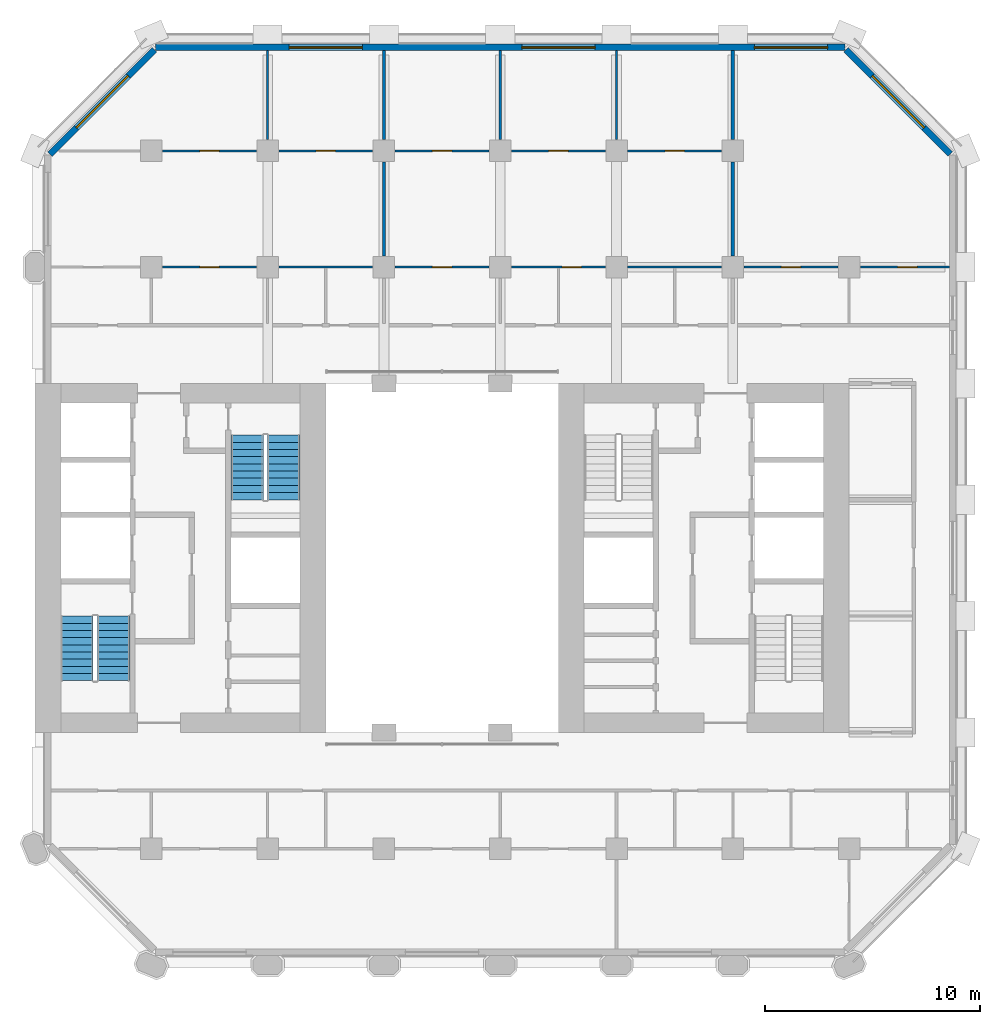
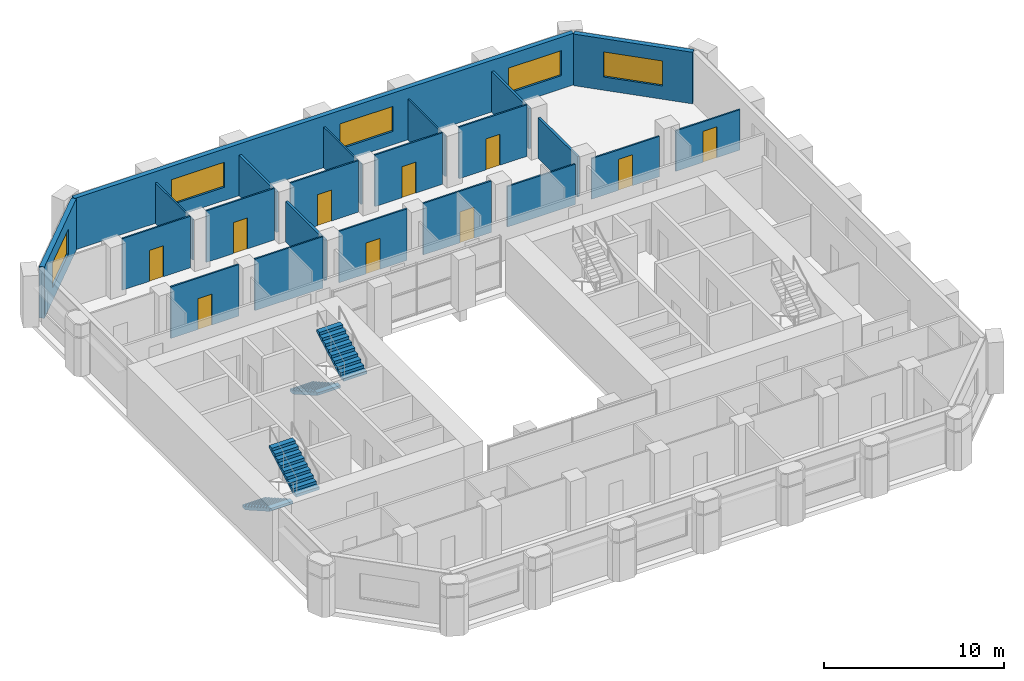
# One storey, part 7 of 11: 22 walls, 10 doors, 5 windows, 4 stair flights, 15 openings, 2 elements without a shape of their own.
"""IFC4 building model written with IfcOpenShell, lengths in metres."""

from ifc_helpers import new_model, si_unit, direction, frame, frame_2d, origin, place, context, subcontext, project, spatial, polyline, rectangle, outline, extrude, material, layer, layer_set, type_object, element, fill, aggregate, save


model = new_model("IFC4")

# Units and contexts
model_context = context("Model", 3, precision=1e-05, world=origin(), true_north=direction((0.0, 1.0)))
body_context = subcontext(model_context, "Body", "Model", "MODEL_VIEW")
ifc_project = project(units=[si_unit("LENGTHUNIT", "METRE"), si_unit("AREAUNIT", "SQUARE_METRE"), si_unit("VOLUMEUNIT", "CUBIC_METRE"), si_unit("PLANEANGLEUNIT", "RADIAN"), si_unit("MASSUNIT", "GRAM", prefix="KILO")], contexts=[model_context])

# Site, building, storey
site_placement = place(None, origin())
site = spatial("IfcSite", under=ifc_project, at=site_placement, CompositionType="ELEMENT")
building_placement = place(site_placement, origin())
building = spatial("IfcBuilding", under=site, at=building_placement, Name="Tabaq Tower and Sports Hall", CompositionType="ELEMENT")
storey_placement = place(building_placement, frame((0.0, 0.0, 80.199951171875)))
storey = spatial("IfcBuildingStorey", under=building, at=storey_placement, Name="L18", CompositionType="ELEMENT", Elevation=80.199951171875)

# Wall, opening, door
ifc_material_1 = material(Name="Gypsum board on steel studs", Category="steel")
ifc_layer_1 = layer(ifc_material_1, 0.10009765625)
ifc_layer_set_1 = layer_set([ifc_layer_1], Name="Partition 100 Gypsum board")
wall_type_1 = type_object("IfcWallType", Name="Partition 100 Gypsum board", PredefinedType="PARTITIONING", material=ifc_layer_set_1)
wall_1_placement = place(storey_placement, frame((15.679931640625, 37.800048828125, 0.0), z_axis=(0.0, 0.0, 1.0), x_axis=(-1.0, 0.0, 0.0)))
wall_1 = element("IfcWall", 1, at=wall_1_placement, inside=storey, type_object=wall_type_1, Name="Partition wall L18", PredefinedType="PARTITIONING", context=body_context, shape_type="SweptSolid", body=[
    extrude(rectangle(XDim=4.35986328125, YDim=0.10009765625, at=frame_2d((2.179931640625, 0.0))), origin(), (0.0, 0.0, 1.0), 3.5),
])
opening_1_placement = place(wall_1_placement, frame((1.72998046875, 0.0, 0.0)))
opening_1 = element("IfcOpeningElement", 2, at=opening_1_placement, cuts=wall_1, Name="Opening L18-012", PredefinedType="OPENING", context=body_context, shape_type="SweptSolid", body=[
    extrude(rectangle(XDim=0.89990234375, YDim=2.10009765625, at=frame_2d((0.449951171875, 1.050048828125))), frame((0.0, 0.050048828125, 0.0), z_axis=(0.0, -1.0, 0.0), x_axis=(1.0, 0.0, 0.0)), (0.0, 0.0, 1.0), 0.10009765625),
])
ifc_material_2 = material(Name="Timber leaf in steel frame", Category="steel")
door_type_1 = type_object("IfcDoorType", Name="Internal door 900 left hand", OperationType="SINGLE_SWING_LEFT", PredefinedType="DOOR", material=ifc_material_2)
door_1_placement = place(opening_1_placement, origin())
door_1 = element("IfcDoor", 3, at=door_1_placement, inside=storey, type_object=door_type_1, Name="Internal door L18-012", OperationType="SINGLE_SWING_LEFT", OverallHeight=2.10009765625, OverallWidth=0.89990234375, PredefinedType="DOOR", context=body_context, shape_type="SweptSolid", body=[
    extrude(rectangle(XDim=0.89990234375, YDim=2.10009765625, at=frame_2d((0.449951171875, 1.050048828125))), frame((0.0, 0.02490234375, 0.0), z_axis=(0.0, -1.0, 0.0), x_axis=(1.0, 0.0, 0.0)), (0.0, 0.0, 1.0), 0.050048828125),
])
fill(opening_1, door_1)

# Wall
wall_2_placement = place(storey_placement, frame((21.080078125, 37.800048828125, 0.0), z_axis=(0.0, 0.0, 1.0), x_axis=(-1.0, 0.0, 0.0)))
element("IfcWall", 4, at=wall_2_placement, inside=storey, type_object=wall_type_1, Name="Partition wall L18", PredefinedType="PARTITIONING", context=body_context, shape_type="SweptSolid", body=[
    extrude(rectangle(XDim=4.360107421875, YDim=0.10009765625, at=frame_2d((2.18017578125, 0.0))), origin(), (0.0, 0.0, 1.0), 3.5),
])

# Wall, opening, door
wall_3_placement = place(storey_placement, frame((21.080078125, 43.199951171875, 0.0), z_axis=(0.0, 0.0, 1.0), x_axis=(-1.0, 0.0, 0.0)))
wall_3 = element("IfcWall", 5, at=wall_3_placement, inside=storey, type_object=wall_type_1, Name="Partition wall L18", PredefinedType="PARTITIONING", context=body_context, shape_type="SweptSolid", body=[
    extrude(rectangle(XDim=4.360107421875, YDim=0.10009765625, at=frame_2d((2.18017578125, 0.0))), origin(), (0.0, 0.0, 1.0), 3.5),
])
opening_2_placement = place(wall_3_placement, frame((1.72998046875, 0.0, 0.0)))
opening_2 = element("IfcOpeningElement", 6, at=opening_2_placement, cuts=wall_3, Name="Opening L18-014", PredefinedType="OPENING", context=body_context, shape_type="SweptSolid", body=[
    extrude(rectangle(XDim=0.89990234375, YDim=2.10009765625, at=frame_2d((0.449951171875, 1.050048828125))), frame((0.0, 0.050048828125, 0.0), z_axis=(0.0, -1.0, 0.0), x_axis=(1.0, 0.0, 0.0)), (0.0, 0.0, 1.0), 0.10009765625),
])
door_2_placement = place(opening_2_placement, origin())
door_2 = element("IfcDoor", 7, at=door_2_placement, inside=storey, type_object=door_type_1, Name="Internal door L18-014", OperationType="SINGLE_SWING_LEFT", OverallHeight=2.10009765625, OverallWidth=0.89990234375, PredefinedType="DOOR", context=body_context, shape_type="SweptSolid", body=[
    extrude(rectangle(XDim=0.89990234375, YDim=2.10009765625, at=frame_2d((0.449951171875, 1.050048828125))), frame((0.0, 0.02490234375, 0.0), z_axis=(0.0, -1.0, 0.0), x_axis=(1.0, 0.0, 0.0)), (0.0, 0.0, 1.0), 0.050048828125),
])
fill(opening_2, door_2)

wall_4_placement = place(storey_placement, frame((15.679931640625, 43.199951171875, 0.0), z_axis=(0.0, 0.0, 1.0), x_axis=(-1.0, 0.0, 0.0)))
wall_4 = element("IfcWall", 8, at=wall_4_placement, inside=storey, type_object=wall_type_1, Name="Partition wall L18", PredefinedType="PARTITIONING", context=body_context, shape_type="SweptSolid", body=[
    extrude(rectangle(XDim=4.35986328125, YDim=0.10009765625, at=frame_2d((2.179931640625, 0.0))), origin(), (0.0, 0.0, 1.0), 3.5),
])
opening_3_placement = place(wall_4_placement, frame((1.72998046875, 0.0, 0.0)))
opening_3 = element("IfcOpeningElement", 9, at=opening_3_placement, cuts=wall_4, Name="Opening L18-013", PredefinedType="OPENING", context=body_context, shape_type="SweptSolid", body=[
    extrude(rectangle(XDim=0.89990234375, YDim=2.10009765625, at=frame_2d((0.449951171875, 1.050048828125))), frame((0.0, 0.050048828125, 0.0), z_axis=(0.0, -1.0, 0.0), x_axis=(1.0, 0.0, 0.0)), (0.0, 0.0, 1.0), 0.10009765625),
])
door_3_placement = place(opening_3_placement, origin())
door_3 = element("IfcDoor", 10, at=door_3_placement, inside=storey, type_object=door_type_1, Name="Internal door L18-013", OperationType="SINGLE_SWING_LEFT", OverallHeight=2.10009765625, OverallWidth=0.89990234375, PredefinedType="DOOR", context=body_context, shape_type="SweptSolid", body=[
    extrude(rectangle(XDim=0.89990234375, YDim=2.10009765625, at=frame_2d((0.449951171875, 1.050048828125))), frame((0.0, 0.02490234375, 0.0), z_axis=(0.0, -1.0, 0.0), x_axis=(1.0, 0.0, 0.0)), (0.0, 0.0, 1.0), 0.050048828125),
])
fill(opening_3, door_3)

# Wall
wall_5_placement = place(storey_placement, frame((16.199951171875, 43.719970703125, 0.0), z_axis=(0.0, 0.0, 1.0), x_axis=(0.0, 1.0, 0.0)))
element("IfcWall", 11, at=wall_5_placement, inside=storey, type_object=wall_type_1, Name="Partition wall L18", PredefinedType="PARTITIONING", context=body_context, shape_type="SweptSolid", body=[
    extrude(rectangle(XDim=4.129150390625, YDim=0.10009765625, at=frame_2d((2.064453125, 0.0))), origin(), (0.0, 0.0, 1.0), 2.75),
])

# Wall, opening, door
wall_6_placement = place(storey_placement, frame((26.47998046875, 37.800048828125, 0.0), z_axis=(0.0, 0.0, 1.0), x_axis=(-1.0, 0.0, 0.0)))
wall_6 = element("IfcWall", 12, at=wall_6_placement, inside=storey, type_object=wall_type_1, Name="Partition wall L18", PredefinedType="PARTITIONING", context=body_context, shape_type="SweptSolid", body=[
    extrude(rectangle(XDim=4.35986328125, YDim=0.10009765625, at=frame_2d((2.179931640625, 0.0))), origin(), (0.0, 0.0, 1.0), 3.5),
])
opening_4_placement = place(wall_6_placement, frame((1.72998046875, 0.0, 0.0)))
opening_4 = element("IfcOpeningElement", 13, at=opening_4_placement, cuts=wall_6, Name="Opening L18-030", PredefinedType="OPENING", context=body_context, shape_type="SweptSolid", body=[
    extrude(rectangle(XDim=0.89990234375, YDim=2.10009765625, at=frame_2d((0.449951171875, 1.050048828125))), frame((0.0, 0.050048828125, 0.0), z_axis=(0.0, -1.0, 0.0), x_axis=(1.0, 0.0, 0.0)), (0.0, 0.0, 1.0), 0.10009765625),
])
door_4_placement = place(opening_4_placement, origin())
door_4 = element("IfcDoor", 14, at=door_4_placement, inside=storey, type_object=door_type_1, Name="Internal door L18-030", OperationType="SINGLE_SWING_LEFT", OverallHeight=2.10009765625, OverallWidth=0.89990234375, PredefinedType="DOOR", context=body_context, shape_type="SweptSolid", body=[
    extrude(rectangle(XDim=0.89990234375, YDim=2.10009765625, at=frame_2d((0.449951171875, 1.050048828125))), frame((0.0, 0.02490234375, 0.0), z_axis=(0.0, -1.0, 0.0), x_axis=(1.0, 0.0, 0.0)), (0.0, 0.0, 1.0), 0.050048828125),
])
fill(opening_4, door_4)

wall_7_placement = place(storey_placement, frame((31.8798828125, 37.800048828125, 0.0), z_axis=(0.0, 0.0, 1.0), x_axis=(-1.0, 0.0, 0.0)))
wall_7 = element("IfcWall", 15, at=wall_7_placement, inside=storey, type_object=wall_type_1, Name="Partition wall L18", PredefinedType="PARTITIONING", context=body_context, shape_type="SweptSolid", body=[
    extrude(rectangle(XDim=4.35986328125, YDim=0.10009765625, at=frame_2d((2.179931640625, 0.0))), origin(), (0.0, 0.0, 1.0), 3.5),
])
opening_5_placement = place(wall_7_placement, frame((1.110107421875, 0.0, 0.0)))
opening_5 = element("IfcOpeningElement", 16, at=opening_5_placement, cuts=wall_7, Name="Opening L18-015", PredefinedType="OPENING", context=body_context, shape_type="SweptSolid", body=[
    extrude(rectangle(XDim=0.89990234375, YDim=2.10009765625, at=frame_2d((0.449951171875, 1.050048828125))), frame((0.0, 0.050048828125, 0.0), z_axis=(0.0, -1.0, 0.0), x_axis=(1.0, 0.0, 0.0)), (0.0, 0.0, 1.0), 0.10009765625),
])
ifc_material_3 = material(Name="Timber leaf in steel frame", Category="steel")
door_type_2 = type_object("IfcDoorType", Name="Internal door 900 right hand", OperationType="SINGLE_SWING_RIGHT", PredefinedType="DOOR", material=ifc_material_3)
door_5_placement = place(opening_5_placement, origin())
door_5 = element("IfcDoor", 17, at=door_5_placement, inside=storey, type_object=door_type_2, Name="Internal door L18-015", OperationType="SINGLE_SWING_RIGHT", OverallHeight=2.10009765625, OverallWidth=0.89990234375, PredefinedType="DOOR", context=body_context, shape_type="SweptSolid", body=[
    extrude(rectangle(XDim=0.89990234375, YDim=2.10009765625, at=frame_2d((0.449951171875, 1.050048828125))), frame((0.0, 0.02490234375, 0.0), z_axis=(0.0, -1.0, 0.0), x_axis=(1.0, 0.0, 0.0)), (0.0, 0.0, 1.0), 0.050048828125),
])
fill(opening_5, door_5)

# Wall
wall_8_placement = place(storey_placement, frame((37.280029296875, 37.800048828125, 0.0), z_axis=(0.0, 0.0, 1.0), x_axis=(-1.0, 0.0, 0.0)))
element("IfcWall", 18, at=wall_8_placement, inside=storey, type_object=wall_type_1, Name="Partition wall L18", PredefinedType="PARTITIONING", context=body_context, shape_type="SweptSolid", body=[
    extrude(rectangle(XDim=4.360107421875, YDim=0.10009765625, at=frame_2d((2.18017578125, 0.0))), origin(), (0.0, 0.0, 1.0), 2.75),
])

# Wall, opening, door
wall_9_placement = place(storey_placement, frame((37.280029296875, 43.199951171875, 0.0), z_axis=(0.0, 0.0, 1.0), x_axis=(-1.0, 0.0, 0.0)))
wall_9 = element("IfcWall", 19, at=wall_9_placement, inside=storey, type_object=wall_type_1, Name="Partition wall L18", PredefinedType="PARTITIONING", context=body_context, shape_type="SweptSolid", body=[
    extrude(rectangle(XDim=4.360107421875, YDim=0.10009765625, at=frame_2d((2.18017578125, 0.0))), origin(), (0.0, 0.0, 1.0), 3.5),
])
opening_6_placement = place(wall_9_placement, frame((1.72998046875, 0.0, 0.0)))
opening_6 = element("IfcOpeningElement", 20, at=opening_6_placement, cuts=wall_9, Name="Opening L18-018", PredefinedType="OPENING", context=body_context, shape_type="SweptSolid", body=[
    extrude(rectangle(XDim=0.89990234375, YDim=2.10009765625, at=frame_2d((0.449951171875, 1.050048828125))), frame((0.0, 0.050048828125, 0.0), z_axis=(0.0, -1.0, 0.0), x_axis=(1.0, 0.0, 0.0)), (0.0, 0.0, 1.0), 0.10009765625),
])
door_6_placement = place(opening_6_placement, origin())
door_6 = element("IfcDoor", 21, at=door_6_placement, inside=storey, type_object=door_type_2, Name="Internal door L18-018", OperationType="SINGLE_SWING_RIGHT", OverallHeight=2.10009765625, OverallWidth=0.89990234375, PredefinedType="DOOR", context=body_context, shape_type="SweptSolid", body=[
    extrude(rectangle(XDim=0.89990234375, YDim=2.10009765625, at=frame_2d((0.449951171875, 1.050048828125))), frame((0.0, 0.02490234375, 0.0), z_axis=(0.0, -1.0, 0.0), x_axis=(1.0, 0.0, 0.0)), (0.0, 0.0, 1.0), 0.050048828125),
])
fill(opening_6, door_6)

wall_10_placement = place(storey_placement, frame((31.8798828125, 43.199951171875, 0.0), z_axis=(0.0, 0.0, 1.0), x_axis=(-1.0, 0.0, 0.0)))
wall_10 = element("IfcWall", 22, at=wall_10_placement, inside=storey, type_object=wall_type_1, Name="Partition wall L18", PredefinedType="PARTITIONING", context=body_context, shape_type="SweptSolid", body=[
    extrude(rectangle(XDim=4.35986328125, YDim=0.10009765625, at=frame_2d((2.179931640625, 0.0))), origin(), (0.0, 0.0, 1.0), 3.5),
])
opening_7_placement = place(wall_10_placement, frame((1.72998046875, 0.0, 0.0)))
opening_7 = element("IfcOpeningElement", 23, at=opening_7_placement, cuts=wall_10, Name="Opening L18-017", PredefinedType="OPENING", context=body_context, shape_type="SweptSolid", body=[
    extrude(rectangle(XDim=0.89990234375, YDim=2.10009765625, at=frame_2d((0.449951171875, 1.050048828125))), frame((0.0, 0.050048828125, 0.0), z_axis=(0.0, -1.0, 0.0), x_axis=(1.0, 0.0, 0.0)), (0.0, 0.0, 1.0), 0.10009765625),
])
door_7_placement = place(opening_7_placement, origin())
door_7 = element("IfcDoor", 24, at=door_7_placement, inside=storey, type_object=door_type_2, Name="Internal door L18-017", OperationType="SINGLE_SWING_RIGHT", OverallHeight=2.10009765625, OverallWidth=0.89990234375, PredefinedType="DOOR", context=body_context, shape_type="SweptSolid", body=[
    extrude(rectangle(XDim=0.89990234375, YDim=2.10009765625, at=frame_2d((0.449951171875, 1.050048828125))), frame((0.0, 0.02490234375, 0.0), z_axis=(0.0, -1.0, 0.0), x_axis=(1.0, 0.0, 0.0)), (0.0, 0.0, 1.0), 0.050048828125),
])
fill(opening_7, door_7)

wall_11_placement = place(storey_placement, frame((26.47998046875, 43.199951171875, 0.0), z_axis=(0.0, 0.0, 1.0), x_axis=(-1.0, 0.0, 0.0)))
wall_11 = element("IfcWall", 25, at=wall_11_placement, inside=storey, type_object=wall_type_1, Name="Partition wall L18", PredefinedType="PARTITIONING", context=body_context, shape_type="SweptSolid", body=[
    extrude(rectangle(XDim=4.35986328125, YDim=0.10009765625, at=frame_2d((2.179931640625, 0.0))), origin(), (0.0, 0.0, 1.0), 3.5),
])
opening_8_placement = place(wall_11_placement, frame((1.72998046875, 0.0, 0.0)))
opening_8 = element("IfcOpeningElement", 26, at=opening_8_placement, cuts=wall_11, Name="Opening L18-016", PredefinedType="OPENING", context=body_context, shape_type="SweptSolid", body=[
    extrude(rectangle(XDim=0.89990234375, YDim=2.10009765625, at=frame_2d((0.449951171875, 1.050048828125))), frame((0.0, 0.050048828125, 0.0), z_axis=(0.0, -1.0, 0.0), x_axis=(1.0, 0.0, 0.0)), (0.0, 0.0, 1.0), 0.10009765625),
])
door_8_placement = place(opening_8_placement, origin())
door_8 = element("IfcDoor", 27, at=door_8_placement, inside=storey, type_object=door_type_2, Name="Internal door L18-016", OperationType="SINGLE_SWING_RIGHT", OverallHeight=2.10009765625, OverallWidth=0.89990234375, PredefinedType="DOOR", context=body_context, shape_type="SweptSolid", body=[
    extrude(rectangle(XDim=0.89990234375, YDim=2.10009765625, at=frame_2d((0.449951171875, 1.050048828125))), frame((0.0, 0.02490234375, 0.0), z_axis=(0.0, -1.0, 0.0), x_axis=(1.0, 0.0, 0.0)), (0.0, 0.0, 1.0), 0.050048828125),
])
fill(opening_8, door_8)

# Walls
for number, where, z_axis, x_axis, name in (
    (28, (27.0, 43.719970703125, 0.0), (0.0, 0.0, 1.0), (0.0, 1.0, 0.0), "Partition wall L18"),
    (29, (32.39990234375, 43.719970703125, 0.0), (0.0, 0.0, 1.0), (0.0, 1.0, 0.0), "Partition wall L18"),
):
    element("IfcWall", number, at=place(storey_placement, frame(where, z_axis=z_axis, x_axis=x_axis)), inside=storey, type_object=wall_type_1, Name=name, PredefinedType="PARTITIONING", context=body_context, shape_type="SweptSolid", body=[
        extrude(rectangle(XDim=4.129150390625, YDim=0.10009765625, at=frame_2d((2.064453125, 0.0))), origin(), (0.0, 0.0, 1.0), 2.75),
    ])

# Wall, opening, door
wall_12_placement = place(storey_placement, frame((42.679931640625, 37.800048828125, 0.0), z_axis=(0.0, 0.0, 1.0), x_axis=(-1.0, 0.0, 0.0)))
wall_12 = element("IfcWall", 30, at=wall_12_placement, inside=storey, type_object=wall_type_1, Name="Partition wall L18", PredefinedType="PARTITIONING", context=body_context, shape_type="SweptSolid", body=[
    extrude(rectangle(XDim=4.35986328125, YDim=0.10009765625, at=frame_2d((2.179931640625, 0.0))), origin(), (0.0, 0.0, 1.0), 2.75),
])
opening_9_placement = place(wall_12_placement, frame((1.72998046875, 0.0, 0.0)))
opening_9 = element("IfcOpeningElement", 31, at=opening_9_placement, cuts=wall_12, Name="Opening L18-031", PredefinedType="OPENING", context=body_context, shape_type="SweptSolid", body=[
    extrude(rectangle(XDim=0.89990234375, YDim=2.10009765625, at=frame_2d((0.449951171875, 1.050048828125))), frame((0.0, 0.050048828125, 0.0), z_axis=(0.0, -1.0, 0.0), x_axis=(1.0, 0.0, 0.0)), (0.0, 0.0, 1.0), 0.10009765625),
])
door_9_placement = place(opening_9_placement, origin())
door_9 = element("IfcDoor", 32, at=door_9_placement, inside=storey, type_object=door_type_2, Name="Internal door L18-031", OperationType="SINGLE_SWING_RIGHT", OverallHeight=2.10009765625, OverallWidth=0.89990234375, PredefinedType="DOOR", context=body_context, shape_type="SweptSolid", body=[
    extrude(rectangle(XDim=0.89990234375, YDim=2.10009765625, at=frame_2d((0.449951171875, 1.050048828125))), frame((0.0, 0.02490234375, 0.0), z_axis=(0.0, -1.0, 0.0), x_axis=(1.0, 0.0, 0.0)), (0.0, 0.0, 1.0), 0.050048828125),
])
fill(opening_9, door_9)

wall_13_placement = place(storey_placement, frame((47.84912109375, 37.800048828125, 0.0), z_axis=(0.0, 0.0, 1.0), x_axis=(-1.0, 0.0, 0.0)))
wall_13 = element("IfcWall", 33, at=wall_13_placement, inside=storey, type_object=wall_type_1, Name="Partition wall L18", PredefinedType="PARTITIONING", context=body_context, shape_type="SweptSolid", body=[
    extrude(rectangle(XDim=4.129150390625, YDim=0.10009765625, at=frame_2d((2.064453125, 0.0))), origin(), (0.0, 0.0, 1.0), 2.75),
])
opening_10_placement = place(wall_13_placement, frame((1.4990234375, 0.0, 0.0)))
opening_10 = element("IfcOpeningElement", 34, at=opening_10_placement, cuts=wall_13, Name="Opening L18-019", PredefinedType="OPENING", context=body_context, shape_type="SweptSolid", body=[
    extrude(rectangle(XDim=0.89990234375, YDim=2.10009765625, at=frame_2d((0.449951171875, 1.050048828125))), frame((0.0, 0.050048828125, 0.0), z_axis=(0.0, -1.0, 0.0), x_axis=(1.0, 0.0, 0.0)), (0.0, 0.0, 1.0), 0.10009765625),
])
door_10_placement = place(opening_10_placement, origin())
door_10 = element("IfcDoor", 35, at=door_10_placement, inside=storey, type_object=door_type_1, Name="Internal door L18-019", OperationType="SINGLE_SWING_LEFT", OverallHeight=2.10009765625, OverallWidth=0.89990234375, PredefinedType="DOOR", context=body_context, shape_type="SweptSolid", body=[
    extrude(rectangle(XDim=0.89990234375, YDim=2.10009765625, at=frame_2d((0.449951171875, 1.050048828125))), frame((0.0, 0.02490234375, 0.0), z_axis=(0.0, -1.0, 0.0), x_axis=(1.0, 0.0, 0.0)), (0.0, 0.0, 1.0), 0.050048828125),
])
fill(opening_10, door_10)

# Walls
ifc_material_4 = material(Name="Blockwork", Category="masonry")
ifc_layer_2 = layer(ifc_material_4, 0.14990234375)
ifc_layer_set_2 = layer_set([ifc_layer_2], Name="Separating wall 150 Blockwork")
wall_type_2 = type_object("IfcWallType", Name="Separating wall 150 Blockwork", PredefinedType="PARTITIONING", material=ifc_layer_set_2)
wall_14_placement = place(storey_placement, frame((21.60009765625, 38.320068359375, 0.0), z_axis=(0.0, 0.0, 1.0), x_axis=(0.0, 1.0, 0.0)))
element("IfcWall", 36, at=wall_14_placement, inside=storey, type_object=wall_type_2, Name="Separating wall L18", PredefinedType="PARTITIONING", context=body_context, shape_type="SweptSolid", body=[
    extrude(rectangle(XDim=4.35986328125, YDim=0.14990234375, at=frame_2d((2.179931640625, 0.0))), origin(), (0.0, 0.0, 1.0), 2.75),
])
wall_15_placement = place(storey_placement, frame((21.60009765625, 43.719970703125, 0.0), z_axis=(0.0, 0.0, 1.0), x_axis=(0.0, 1.0, 0.0)))
element("IfcWall", 37, at=wall_15_placement, inside=storey, type_object=wall_type_2, Name="Separating wall L18", PredefinedType="PARTITIONING", context=body_context, shape_type="SweptSolid", body=[
    extrude(rectangle(XDim=4.129150390625, YDim=0.14990234375, at=frame_2d((2.064453125, 0.0))), origin(), (0.0, 0.0, 1.0), 2.75),
])
wall_16_placement = place(storey_placement, frame((37.800048828125, 38.320068359375, 0.0), z_axis=(0.0, 0.0, 1.0), x_axis=(0.0, 1.0, 0.0)))
element("IfcWall", 38, at=wall_16_placement, inside=storey, type_object=wall_type_2, Name="Separating wall L18", PredefinedType="PARTITIONING", context=body_context, shape_type="SweptSolid", body=[
    extrude(rectangle(XDim=4.35986328125, YDim=0.14990234375, at=frame_2d((2.179931640625, 0.0))), origin(), (0.0, 0.0, 1.0), 2.75),
])
wall_17_placement = place(storey_placement, frame((37.800048828125, 43.719970703125, 0.0), z_axis=(0.0, 0.0, 1.0), x_axis=(0.0, 1.0, 0.0)))
element("IfcWall", 39, at=wall_17_placement, inside=storey, type_object=wall_type_2, Name="Separating wall L18", PredefinedType="PARTITIONING", context=body_context, shape_type="SweptSolid", body=[
    extrude(rectangle(XDim=4.129150390625, YDim=0.14990234375, at=frame_2d((2.064453125, 0.0))), origin(), (0.0, 0.0, 1.0), 2.75),
])

# Wall, opening, window
ifc_material_5 = material(Name="White precast concrete C60/75", Category="concrete")
ifc_layer_3 = layer(ifc_material_5, 0.300048828125)
ifc_layer_set_3 = layer_set([ifc_layer_3], Name="White precast concrete C60/75 external wall 300")
wall_type_3 = type_object("IfcWallType", Name="White precast concrete C60/75 external wall 300", PredefinedType="SOLIDWALL", material=ifc_layer_set_3)
wall_18_placement = place(storey_placement, frame((47.901123046875, 43.050537109375, 0.0), z_axis=(0.0, 0.0, 1.0), x_axis=(-0.707106781187, 0.707106781187, 0.0)))
wall_18 = element("IfcWall", 40, at=wall_18_placement, inside=storey, type_object=wall_type_3, Name="External Wall L18 NE", PredefinedType="SOLIDWALL", context=body_context, shape_type="SweptSolid", body=[
    extrude(rectangle(XDim=6.85986328125, YDim=0.300048828125, at=frame_2d((3.429931640625, 0.0))), origin(), (0.0, 0.0, 1.0), 3.5),
])
opening_11_placement = place(wall_18_placement, frame((1.729736328125, 0.0, 0.89990234375)))
opening_11 = element("IfcOpeningElement", 41, at=opening_11_placement, cuts=wall_18, Name="Opening W1A", PredefinedType="OPENING", context=body_context, shape_type="SweptSolid", body=[
    extrude(rectangle(XDim=3.39990234375, YDim=1.699951171875, at=frame_2d((1.699951171875, 0.85009765625))), frame((0.0, 0.16015625, 0.0), z_axis=(0.0, -1.0, 0.0), x_axis=(1.0, 0.0, 0.0)), (0.0, 0.0, 1.0), 0.320068359375),
])
ifc_material_6 = material(Name="Aluminium framed clear glazing", Category="aluminium")
window_type = type_object("IfcWindowType", Name="Window W1A", PartitioningType="SINGLE_PANEL", PredefinedType="WINDOW", material=ifc_material_6)
window_1_placement = place(opening_11_placement, origin())
window_1 = element("IfcWindow", 42, at=window_1_placement, inside=storey, type_object=window_type, Name="Window W1A L18", OverallHeight=1.699951171875, OverallWidth=3.39990234375, PartitioningType="SINGLE_PANEL", PredefinedType="WINDOW", context=body_context, shape_type="SweptSolid", body=[
    extrude(rectangle(XDim=3.39990234375, YDim=1.699951171875, at=frame_2d((1.699951171875, 0.85009765625))), frame((0.0, 0.030029296875, 0.0), z_axis=(0.0, -1.0, 0.0), x_axis=(1.0, 0.0, 0.0)), (0.0, 0.0, 1.0), 0.06005859375),
])
fill(opening_11, window_1)

# Wall, openings, windows
wall_19_placement = place(storey_placement, frame((43.013671875, 48.0, 0.0), z_axis=(0.0, 0.0, 1.0), x_axis=(-1.0, 0.0, 0.0)))
wall_19 = element("IfcWall", 43, at=wall_19_placement, inside=storey, type_object=wall_type_3, Name="External Wall L18 N", PredefinedType="SOLIDWALL", context=body_context, shape_type="SweptSolid", body=[
    extrude(rectangle(XDim=32.02734375, YDim=0.300048828125, at=frame_2d((16.013671875, 0.0))), origin(), (0.0, 0.0, 1.0), 3.5),
])
opening_12_placement = place(wall_19_placement, frame((0.813720703125, 0.0, 0.89990234375)))
opening_12 = element("IfcOpeningElement", 44, at=opening_12_placement, cuts=wall_19, Name="Opening W1A", PredefinedType="OPENING", context=body_context, shape_type="SweptSolid", body=[
    extrude(rectangle(XDim=3.39990234375, YDim=1.699951171875, at=frame_2d((1.699951171875, 0.85009765625))), frame((0.0, 0.16015625, 0.0), z_axis=(0.0, -1.0, 0.0), x_axis=(1.0, 0.0, 0.0)), (0.0, 0.0, 1.0), 0.320068359375),
])
opening_13_placement = place(wall_19_placement, frame((11.613525390625, 0.0, 0.89990234375)))
opening_13 = element("IfcOpeningElement", 45, at=opening_13_placement, cuts=wall_19, Name="Opening W1A", PredefinedType="OPENING", context=body_context, shape_type="SweptSolid", body=[
    extrude(rectangle(XDim=3.39990234375, YDim=1.699951171875, at=frame_2d((1.699951171875, 0.85009765625))), frame((0.0, 0.16015625, 0.0), z_axis=(0.0, -1.0, 0.0), x_axis=(1.0, 0.0, 0.0)), (0.0, 0.0, 1.0), 0.320068359375),
])
opening_14_placement = place(wall_19_placement, frame((22.41357421875, 0.0, 0.89990234375)))
opening_14 = element("IfcOpeningElement", 46, at=opening_14_placement, cuts=wall_19, Name="Opening W1A", PredefinedType="OPENING", context=body_context, shape_type="SweptSolid", body=[
    extrude(rectangle(XDim=3.39990234375, YDim=1.699951171875, at=frame_2d((1.699951171875, 0.85009765625))), frame((0.0, 0.16015625, 0.0), z_axis=(0.0, -1.0, 0.0), x_axis=(1.0, 0.0, 0.0)), (0.0, 0.0, 1.0), 0.320068359375),
])
window_2_placement = place(opening_12_placement, origin())
window_2 = element("IfcWindow", 47, at=window_2_placement, inside=storey, type_object=window_type, Name="Window W1A L18", OverallHeight=1.699951171875, OverallWidth=3.39990234375, PartitioningType="SINGLE_PANEL", PredefinedType="WINDOW", context=body_context, shape_type="SweptSolid", body=[
    extrude(rectangle(XDim=3.39990234375, YDim=1.699951171875, at=frame_2d((1.699951171875, 0.85009765625))), frame((0.0, 0.030029296875, 0.0), z_axis=(0.0, -1.0, 0.0), x_axis=(1.0, 0.0, 0.0)), (0.0, 0.0, 1.0), 0.06005859375),
])
fill(opening_12, window_2)
window_3_placement = place(opening_13_placement, origin())
window_3 = element("IfcWindow", 48, at=window_3_placement, inside=storey, type_object=window_type, Name="Window W1A L18", OverallHeight=1.699951171875, OverallWidth=3.39990234375, PartitioningType="SINGLE_PANEL", PredefinedType="WINDOW", context=body_context, shape_type="SweptSolid", body=[
    extrude(rectangle(XDim=3.39990234375, YDim=1.699951171875, at=frame_2d((1.699951171875, 0.85009765625))), frame((0.0, 0.030029296875, 0.0), z_axis=(0.0, -1.0, 0.0), x_axis=(1.0, 0.0, 0.0)), (0.0, 0.0, 1.0), 0.06005859375),
])
fill(opening_13, window_3)
window_4_placement = place(opening_14_placement, origin())
window_4 = element("IfcWindow", 49, at=window_4_placement, inside=storey, type_object=window_type, Name="Window W1A L18", OverallHeight=1.699951171875, OverallWidth=3.39990234375, PartitioningType="SINGLE_PANEL", PredefinedType="WINDOW", context=body_context, shape_type="SweptSolid", body=[
    extrude(rectangle(XDim=3.39990234375, YDim=1.699951171875, at=frame_2d((1.699951171875, 0.85009765625))), frame((0.0, 0.030029296875, 0.0), z_axis=(0.0, -1.0, 0.0), x_axis=(1.0, 0.0, 0.0)), (0.0, 0.0, 1.0), 0.06005859375),
])
fill(opening_14, window_4)

# Wall, opening, window
wall_20_placement = place(storey_placement, frame((10.949462890625, 47.901123046875, 0.0), z_axis=(0.0, 0.0, 1.0), x_axis=(-0.707106781187, -0.707106781187, 0.0)))
wall_20 = element("IfcWall", 50, at=wall_20_placement, inside=storey, type_object=wall_type_3, Name="External Wall L18 NW", PredefinedType="SOLIDWALL", context=body_context, shape_type="SweptSolid", body=[
    extrude(rectangle(XDim=6.85986328125, YDim=0.300048828125, at=frame_2d((3.429931640625, 0.0))), origin(), (0.0, 0.0, 1.0), 3.5),
])
opening_15_placement = place(wall_20_placement, frame((1.729736328125, 0.0, 0.89990234375)))
opening_15 = element("IfcOpeningElement", 51, at=opening_15_placement, cuts=wall_20, Name="Opening W1A", PredefinedType="OPENING", context=body_context, shape_type="SweptSolid", body=[
    extrude(rectangle(XDim=3.39990234375, YDim=1.699951171875, at=frame_2d((1.699951171875, 0.85009765625))), frame((0.0, 0.16015625, 0.0), z_axis=(0.0, -1.0, 0.0), x_axis=(1.0, 0.0, 0.0)), (0.0, 0.0, 1.0), 0.320068359375),
])
window_5_placement = place(opening_15_placement, origin())
window_5 = element("IfcWindow", 52, at=window_5_placement, inside=storey, type_object=window_type, Name="Window W1A L18", OverallHeight=1.699951171875, OverallWidth=3.39990234375, PartitioningType="SINGLE_PANEL", PredefinedType="WINDOW", context=body_context, shape_type="SweptSolid", body=[
    extrude(rectangle(XDim=3.39990234375, YDim=1.699951171875, at=frame_2d((1.699951171875, 0.85009765625))), frame((0.0, 0.030029296875, 0.0), z_axis=(0.0, -1.0, 0.0), x_axis=(1.0, 0.0, 0.0)), (0.0, 0.0, 1.0), 0.06005859375),
])
fill(opening_15, window_5)

# Stair, stair flights
ifc_material_7 = material(Name="Concrete C40/50", Category="concrete")
stair_type = type_object("IfcStairType", Name="Exit stair", PredefinedType="HALF_TURN_STAIR", material=ifc_material_7)
stair_1_placement = place(storey_placement, origin())
stair_1 = element("IfcStair", 53, at=stair_1_placement, inside=storey, type_object=stair_type, Name="L18 Exit stair ST1", PredefinedType="HALF_TURN_STAIR")
ifc_material_8 = material(Name="Concrete C40/50", Category="concrete")
stair_flight_type = type_object("IfcStairFlightType", Name="Exit stair flight", PredefinedType="STRAIGHT", material=ifc_material_8)
stair_flight_1_placement = place(storey_placement, frame((7.35009765625, 21.60009765625, 0.0), z_axis=(0.0, 0.0, 1.0), x_axis=(0.0, -1.0, 0.0)))
stair_flight_1 = element("IfcStairFlight", 54, at=stair_flight_1_placement, type_object=stair_flight_type, Name="ST1 flight 1", NumberOfRisers=10, NumberOfTreads=9, PredefinedType="STRAIGHT", RiserHeight=0.19, TreadLength=0.333333333, context=body_context, shape_type="SweptSolid", body=[
    extrude(outline(polyline([(0.0, 0.0), (0.0, 0.18994140625), (0.333251953125, 0.18994140625), (0.333251953125, 0.3798828125), (0.666748046875, 0.3798828125), (0.666748046875, 0.570068359375), (1.0, 0.570068359375), (1.0, 0.760009765625), (1.333251953125, 0.760009765625), (1.333251953125, 0.949951171875), (1.666748046875, 0.949951171875), (1.666748046875, 1.139892578125), (2.0, 1.139892578125), (2.0, 1.330078125), (2.333251953125, 1.330078125), (2.333251953125, 1.52001953125), (2.666748046875, 1.52001953125), (2.666748046875, 1.7099609375), (3.0, 1.7099609375), (3.0, 1.89990234375), (3.0, 1.537353515625), (0.302734375, 0.0), (0.0, 0.0)])), frame((0.0, 0.75, 0.0), z_axis=(0.0, -1.0, 0.0), x_axis=(1.0, 0.0, 0.0)), (0.0, 0.0, 1.0), 1.5),
])
stair_flight_2_placement = place(storey_placement, frame((9.050048828125, 18.60009765625, 1.900146484375), z_axis=(0.0, 0.0, 1.0), x_axis=(0.0, 1.0, 0.0)))
stair_flight_2 = element("IfcStairFlight", 55, at=stair_flight_2_placement, type_object=stair_flight_type, Name="ST1 flight 2", NumberOfRisers=10, NumberOfTreads=9, PredefinedType="STRAIGHT", RiserHeight=0.19, TreadLength=0.333333333, context=body_context, shape_type="SweptSolid", body=[
    extrude(outline(polyline([(0.0, 0.0), (0.0, 0.18994140625), (0.333251953125, 0.18994140625), (0.333251953125, 0.3798828125), (0.666748046875, 0.3798828125), (0.666748046875, 0.570068359375), (1.0, 0.570068359375), (1.0, 0.760009765625), (1.333251953125, 0.760009765625), (1.333251953125, 0.949951171875), (1.666748046875, 0.949951171875), (1.666748046875, 1.139892578125), (2.0, 1.139892578125), (2.0, 1.330078125), (2.333251953125, 1.330078125), (2.333251953125, 1.52001953125), (2.666748046875, 1.52001953125), (2.666748046875, 1.7099609375), (3.0, 1.7099609375), (3.0, 1.89990234375), (3.0, 1.537353515625), (0.302734375, 0.0), (0.0, 0.0)])), frame((0.0, 0.75, 0.0), z_axis=(0.0, -1.0, 0.0), x_axis=(1.0, 0.0, 0.0)), (0.0, 0.0, 1.0), 1.5),
])
aggregate(stair_1, [stair_flight_1, stair_flight_2])

stair_2_placement = place(storey_placement, origin())
stair_2 = element("IfcStair", 56, at=stair_2_placement, inside=storey, type_object=stair_type, Name="L18 Exit stair ST2", PredefinedType="HALF_TURN_STAIR")
stair_flight_3_placement = place(storey_placement, frame((15.25, 30.0, 0.0), z_axis=(0.0, 0.0, 1.0), x_axis=(0.0, -1.0, 0.0)))
stair_flight_3 = element("IfcStairFlight", 57, at=stair_flight_3_placement, type_object=stair_flight_type, Name="ST2 flight 1", NumberOfRisers=10, NumberOfTreads=9, PredefinedType="STRAIGHT", RiserHeight=0.19, TreadLength=0.333333333, context=body_context, shape_type="SweptSolid", body=[
    extrude(outline(polyline([(0.0, 0.0), (0.0, 0.18994140625), (0.333251953125, 0.18994140625), (0.333251953125, 0.3798828125), (0.666748046875, 0.3798828125), (0.666748046875, 0.570068359375), (1.0, 0.570068359375), (1.0, 0.760009765625), (1.333251953125, 0.760009765625), (1.333251953125, 0.949951171875), (1.666748046875, 0.949951171875), (1.666748046875, 1.139892578125), (2.0, 1.139892578125), (2.0, 1.330078125), (2.333251953125, 1.330078125), (2.333251953125, 1.52001953125), (2.666748046875, 1.52001953125), (2.666748046875, 1.7099609375), (3.0, 1.7099609375), (3.0, 1.89990234375), (3.0, 1.537353515625), (0.302734375, 0.0), (0.0, 0.0)])), frame((0.0, 0.75, 0.0), z_axis=(0.0, -1.0, 0.0), x_axis=(1.0, 0.0, 0.0)), (0.0, 0.0, 1.0), 1.5),
])
stair_flight_4_placement = place(storey_placement, frame((16.949951171875, 27.0, 1.900146484375), z_axis=(0.0, 0.0, 1.0), x_axis=(0.0, 1.0, 0.0)))
stair_flight_4 = element("IfcStairFlight", 58, at=stair_flight_4_placement, type_object=stair_flight_type, Name="ST2 flight 2", NumberOfRisers=10, NumberOfTreads=9, PredefinedType="STRAIGHT", RiserHeight=0.19, TreadLength=0.333333333, context=body_context, shape_type="SweptSolid", body=[
    extrude(outline(polyline([(0.0, 0.0), (0.0, 0.18994140625), (0.333251953125, 0.18994140625), (0.333251953125, 0.3798828125), (0.666748046875, 0.3798828125), (0.666748046875, 0.570068359375), (1.0, 0.570068359375), (1.0, 0.760009765625), (1.333251953125, 0.760009765625), (1.333251953125, 0.949951171875), (1.666748046875, 0.949951171875), (1.666748046875, 1.139892578125), (2.0, 1.139892578125), (2.0, 1.330078125), (2.333251953125, 1.330078125), (2.333251953125, 1.52001953125), (2.666748046875, 1.52001953125), (2.666748046875, 1.7099609375), (3.0, 1.7099609375), (3.0, 1.89990234375), (3.0, 1.537353515625), (0.302734375, 0.0), (0.0, 0.0)])), frame((0.0, 0.75, 0.0), z_axis=(0.0, -1.0, 0.0), x_axis=(1.0, 0.0, 0.0)), (0.0, 0.0, 1.0), 1.5),
])
aggregate(stair_2, [stair_flight_3, stair_flight_4])

save(model, "model.ifc")
